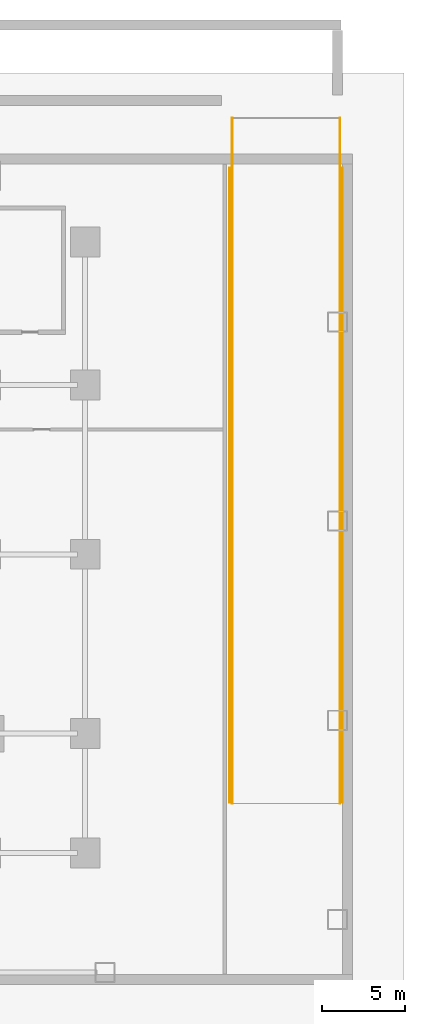
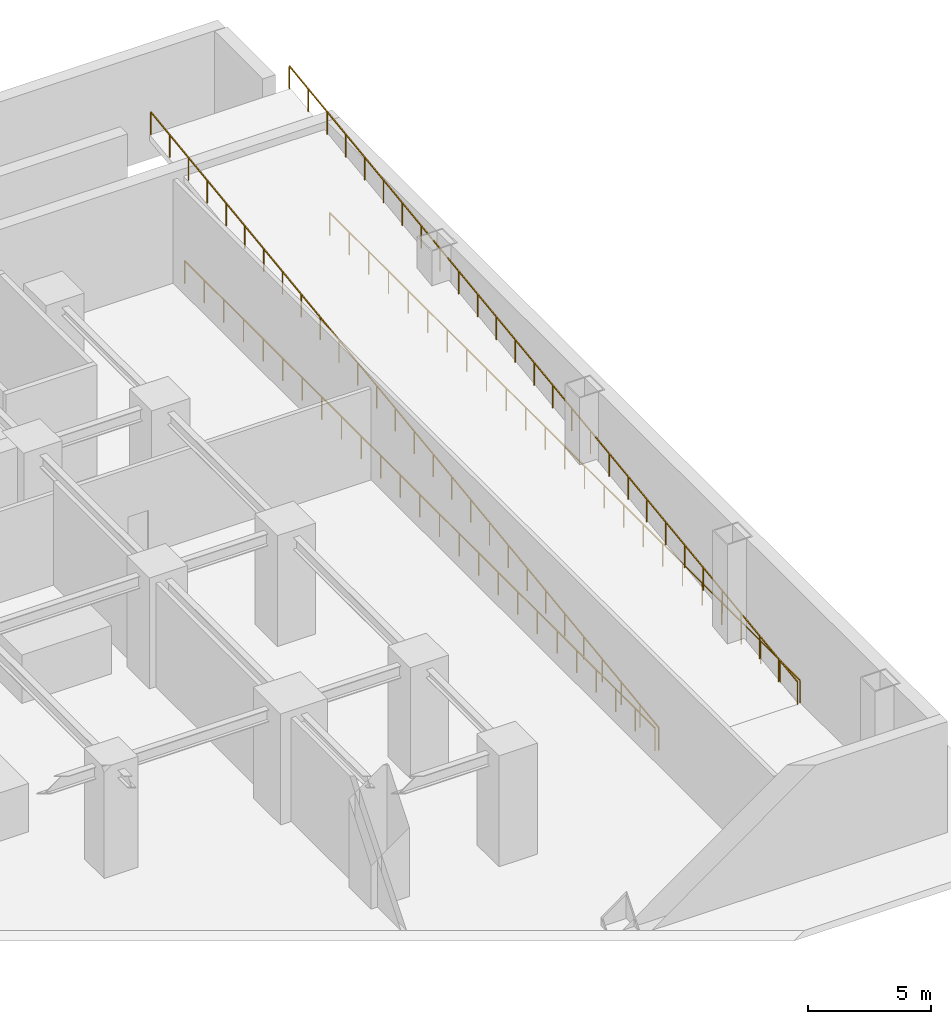
# One storey, part 7 of 8: 4 railings.
"""IFC4 building model written with IfcOpenShell, lengths in metres."""

from ifc_helpers import new_model, si_unit, direction, frame, origin, origin_2d, place, context, subcontext, project, spatial, rectangle, extrude, material, type_object, element, save


model = new_model("IFC4")

# Units and contexts
model_context = context("Model", 3, precision=1e-05, world=origin(), true_north=direction((0.0, 1.0)))
body_context = subcontext(model_context, "Body", "Model", "MODEL_VIEW")
ifc_project = project(units=[si_unit("LENGTHUNIT", "METRE"), si_unit("AREAUNIT", "SQUARE_METRE"), si_unit("VOLUMEUNIT", "CUBIC_METRE"), si_unit("PLANEANGLEUNIT", "RADIAN"), si_unit("MASSUNIT", "GRAM", prefix="KILO")], contexts=[model_context])

# Site, building, storey
site_placement = place(None, origin())
site = spatial("IfcSite", under=ifc_project, at=site_placement, CompositionType="ELEMENT")
building_placement = place(site_placement, origin())
building = spatial("IfcBuilding", under=site, at=building_placement, Name="Sumidabori Civic Tower", CompositionType="ELEMENT")
storey_placement = place(building_placement, frame((0.0, 0.0, -5.5)))
storey = spatial("IfcBuildingStorey", under=building, at=storey_placement, Name="B1", CompositionType="ELEMENT", Elevation=-5.5)

# Railings
ifc_material = material(Name="Steel SN490", Category="steel")
railing_type = type_object("IfcRailingType", Name="RL-STAIR-GUARD", PredefinedType="GUARDRAIL", material=ifc_material)
railing_1_placement = place(storey_placement, frame((31.64990234375, -15.0, 0.0)))
element("IfcRailing", 1, at=railing_1_placement, inside=storey, type_object=railing_type, Name="Ramp R1 Flight 2 West Guard", PredefinedType="GUARDRAIL", context=body_context, shape_type="SweptSolid", body=[
    extrude(rectangle(XDim=0.048095703125, YDim=0.048095703125, at=origin_2d()), frame((0.0, 0.0, 1.1259765625), z_axis=(0.0, 0.991232100619, 0.132132216749), x_axis=(-1.0, 0.0, 0.0)), (0.0, 0.0, 1.0), 41.625),
    extrude(rectangle(XDim=0.0419921875, YDim=0.0419921875, at=origin_2d()), origin(), (0.0, 0.0, 1.0), 1.101806640625),
    extrude(rectangle(XDim=0.0419921875, YDim=0.0419921875, at=origin_2d()), frame((0.0, 1.528076171875, 0.20361328125)), (0.0, 0.0, 1.0), 1.101806640625),
    extrude(rectangle(XDim=0.0419921875, YDim=0.0419921875, at=origin_2d()), frame((0.0, 3.056396484375, 0.407470703125)), (0.0, 0.0, 1.0), 1.101806640625),
    extrude(rectangle(XDim=0.0419921875, YDim=0.0419921875, at=origin_2d()), frame((0.0, 4.58447265625, 0.611083984375)), (0.0, 0.0, 1.0), 1.101806640625),
    extrude(rectangle(XDim=0.0419921875, YDim=0.0419921875, at=origin_2d()), frame((0.0, 6.112548828125, 0.814697265625)), (0.0, 0.0, 1.0), 1.101806640625),
    extrude(rectangle(XDim=0.0419921875, YDim=0.0419921875, at=origin_2d()), frame((0.0, 7.640625, 1.0185546875)), (0.0, 0.0, 1.0), 1.101806640625),
    extrude(rectangle(XDim=0.0419921875, YDim=0.0419921875, at=origin_2d()), frame((0.0, 9.1689453125, 1.22216796875)), (0.0, 0.0, 1.0), 1.101806640625),
    extrude(rectangle(XDim=0.0419921875, YDim=0.0419921875, at=origin_2d()), frame((0.0, 10.697021484375, 1.426025390625)), (0.0, 0.0, 1.0), 1.101806640625),
    extrude(rectangle(XDim=0.0419921875, YDim=0.0419921875, at=origin_2d()), frame((0.0, 12.22509765625, 1.629638671875)), (0.0, 0.0, 1.0), 1.101806640625),
    extrude(rectangle(XDim=0.0419921875, YDim=0.0419921875, at=origin_2d()), frame((0.0, 13.75341796875, 1.833251953125)), (0.0, 0.0, 1.0), 1.101806640625),
    extrude(rectangle(XDim=0.0419921875, YDim=0.0419921875, at=origin_2d()), frame((0.0, 15.281494140625, 2.037109375)), (0.0, 0.0, 1.0), 1.101806640625),
    extrude(rectangle(XDim=0.0419921875, YDim=0.0419921875, at=origin_2d()), frame((0.0, 16.8095703125, 2.24072265625)), (0.0, 0.0, 1.0), 1.101806640625),
    extrude(rectangle(XDim=0.0419921875, YDim=0.0419921875, at=origin_2d()), frame((0.0, 18.337890625, 2.4443359375)), (0.0, 0.0, 1.0), 1.101806640625),
    extrude(rectangle(XDim=0.0419921875, YDim=0.0419921875, at=origin_2d()), frame((0.0, 19.865966796875, 2.648193359375)), (0.0, 0.0, 1.0), 1.101806640625),
    extrude(rectangle(XDim=0.0419921875, YDim=0.0419921875, at=origin_2d()), frame((0.0, 21.39404296875, 2.851806640625)), (0.0, 0.0, 1.0), 1.101806640625),
    extrude(rectangle(XDim=0.0419921875, YDim=0.0419921875, at=origin_2d()), frame((0.0, 22.922119140625, 3.0556640625)), (0.0, 0.0, 1.0), 1.101806640625),
    extrude(rectangle(XDim=0.0419921875, YDim=0.0419921875, at=origin_2d()), frame((0.0, 24.450439453125, 3.25927734375)), (0.0, 0.0, 1.0), 1.101806640625),
    extrude(rectangle(XDim=0.0419921875, YDim=0.0419921875, at=origin_2d()), frame((0.0, 25.978515625, 3.462890625)), (0.0, 0.0, 1.0), 1.101806640625),
    extrude(rectangle(XDim=0.0419921875, YDim=0.0419921875, at=origin_2d()), frame((0.0, 27.506591796875, 3.666748046875)), (0.0, 0.0, 1.0), 1.101806640625),
    extrude(rectangle(XDim=0.0419921875, YDim=0.0419921875, at=origin_2d()), frame((0.0, 29.034912109375, 3.870361328125)), (0.0, 0.0, 1.0), 1.101806640625),
    extrude(rectangle(XDim=0.0419921875, YDim=0.0419921875, at=origin_2d()), frame((0.0, 30.56298828125, 4.073974609375)), (0.0, 0.0, 1.0), 1.101806640625),
    extrude(rectangle(XDim=0.0419921875, YDim=0.0419921875, at=origin_2d()), frame((0.0, 32.091064453125, 4.27783203125)), (0.0, 0.0, 1.0), 1.101806640625),
    extrude(rectangle(XDim=0.0419921875, YDim=0.0419921875, at=origin_2d()), frame((0.0, 33.619384765625, 4.4814453125)), (0.0, 0.0, 1.0), 1.101806640625),
    extrude(rectangle(XDim=0.0419921875, YDim=0.0419921875, at=origin_2d()), frame((0.0, 35.1474609375, 4.685302734375)), (0.0, 0.0, 1.0), 1.101806640625),
    extrude(rectangle(XDim=0.0419921875, YDim=0.0419921875, at=origin_2d()), frame((0.0, 36.675537109375, 4.888916015625)), (0.0, 0.0, 1.0), 1.101806640625),
    extrude(rectangle(XDim=0.0419921875, YDim=0.0419921875, at=origin_2d()), frame((0.0, 38.20361328125, 5.092529296875)), (0.0, 0.0, 1.0), 1.101806640625),
    extrude(rectangle(XDim=0.0419921875, YDim=0.0419921875, at=origin_2d()), frame((0.0, 39.73193359375, 5.29638671875)), (0.0, 0.0, 1.0), 1.101806640625),
    extrude(rectangle(XDim=0.0419921875, YDim=0.0419921875, at=origin_2d()), frame((0.0, 41.260009765625, 5.5)), (0.0, 0.0, 1.0), 1.101806640625),
])
railing_2_placement = place(storey_placement, frame((38.14990234375, -15.0, 0.0)))
element("IfcRailing", 2, at=railing_2_placement, inside=storey, type_object=railing_type, Name="Ramp R1 Flight 2 East Guard", PredefinedType="GUARDRAIL", context=body_context, shape_type="SweptSolid", body=[
    extrude(rectangle(XDim=0.048095703125, YDim=0.048095703125, at=origin_2d()), frame((0.0, 0.0, 1.1259765625), z_axis=(0.0, 0.991232100619, 0.132132216749), x_axis=(-1.0, 0.0, 0.0)), (0.0, 0.0, 1.0), 41.625),
    extrude(rectangle(XDim=0.0419921875, YDim=0.0419921875, at=origin_2d()), origin(), (0.0, 0.0, 1.0), 1.101806640625),
    extrude(rectangle(XDim=0.0419921875, YDim=0.0419921875, at=origin_2d()), frame((0.0, 1.528076171875, 0.20361328125)), (0.0, 0.0, 1.0), 1.101806640625),
    extrude(rectangle(XDim=0.0419921875, YDim=0.0419921875, at=origin_2d()), frame((0.0, 3.056396484375, 0.407470703125)), (0.0, 0.0, 1.0), 1.101806640625),
    extrude(rectangle(XDim=0.0419921875, YDim=0.0419921875, at=origin_2d()), frame((0.0, 4.58447265625, 0.611083984375)), (0.0, 0.0, 1.0), 1.101806640625),
    extrude(rectangle(XDim=0.0419921875, YDim=0.0419921875, at=origin_2d()), frame((0.0, 6.112548828125, 0.814697265625)), (0.0, 0.0, 1.0), 1.101806640625),
    extrude(rectangle(XDim=0.0419921875, YDim=0.0419921875, at=origin_2d()), frame((0.0, 7.640625, 1.0185546875)), (0.0, 0.0, 1.0), 1.101806640625),
    extrude(rectangle(XDim=0.0419921875, YDim=0.0419921875, at=origin_2d()), frame((0.0, 9.1689453125, 1.22216796875)), (0.0, 0.0, 1.0), 1.101806640625),
    extrude(rectangle(XDim=0.0419921875, YDim=0.0419921875, at=origin_2d()), frame((0.0, 10.697021484375, 1.426025390625)), (0.0, 0.0, 1.0), 1.101806640625),
    extrude(rectangle(XDim=0.0419921875, YDim=0.0419921875, at=origin_2d()), frame((0.0, 12.22509765625, 1.629638671875)), (0.0, 0.0, 1.0), 1.101806640625),
    extrude(rectangle(XDim=0.0419921875, YDim=0.0419921875, at=origin_2d()), frame((0.0, 13.75341796875, 1.833251953125)), (0.0, 0.0, 1.0), 1.101806640625),
    extrude(rectangle(XDim=0.0419921875, YDim=0.0419921875, at=origin_2d()), frame((0.0, 15.281494140625, 2.037109375)), (0.0, 0.0, 1.0), 1.101806640625),
    extrude(rectangle(XDim=0.0419921875, YDim=0.0419921875, at=origin_2d()), frame((0.0, 16.8095703125, 2.24072265625)), (0.0, 0.0, 1.0), 1.101806640625),
    extrude(rectangle(XDim=0.0419921875, YDim=0.0419921875, at=origin_2d()), frame((0.0, 18.337890625, 2.4443359375)), (0.0, 0.0, 1.0), 1.101806640625),
    extrude(rectangle(XDim=0.0419921875, YDim=0.0419921875, at=origin_2d()), frame((0.0, 19.865966796875, 2.648193359375)), (0.0, 0.0, 1.0), 1.101806640625),
    extrude(rectangle(XDim=0.0419921875, YDim=0.0419921875, at=origin_2d()), frame((0.0, 21.39404296875, 2.851806640625)), (0.0, 0.0, 1.0), 1.101806640625),
    extrude(rectangle(XDim=0.0419921875, YDim=0.0419921875, at=origin_2d()), frame((0.0, 22.922119140625, 3.0556640625)), (0.0, 0.0, 1.0), 1.101806640625),
    extrude(rectangle(XDim=0.0419921875, YDim=0.0419921875, at=origin_2d()), frame((0.0, 24.450439453125, 3.25927734375)), (0.0, 0.0, 1.0), 1.101806640625),
    extrude(rectangle(XDim=0.0419921875, YDim=0.0419921875, at=origin_2d()), frame((0.0, 25.978515625, 3.462890625)), (0.0, 0.0, 1.0), 1.101806640625),
    extrude(rectangle(XDim=0.0419921875, YDim=0.0419921875, at=origin_2d()), frame((0.0, 27.506591796875, 3.666748046875)), (0.0, 0.0, 1.0), 1.101806640625),
    extrude(rectangle(XDim=0.0419921875, YDim=0.0419921875, at=origin_2d()), frame((0.0, 29.034912109375, 3.870361328125)), (0.0, 0.0, 1.0), 1.101806640625),
    extrude(rectangle(XDim=0.0419921875, YDim=0.0419921875, at=origin_2d()), frame((0.0, 30.56298828125, 4.073974609375)), (0.0, 0.0, 1.0), 1.101806640625),
    extrude(rectangle(XDim=0.0419921875, YDim=0.0419921875, at=origin_2d()), frame((0.0, 32.091064453125, 4.27783203125)), (0.0, 0.0, 1.0), 1.101806640625),
    extrude(rectangle(XDim=0.0419921875, YDim=0.0419921875, at=origin_2d()), frame((0.0, 33.619384765625, 4.4814453125)), (0.0, 0.0, 1.0), 1.101806640625),
    extrude(rectangle(XDim=0.0419921875, YDim=0.0419921875, at=origin_2d()), frame((0.0, 35.1474609375, 4.685302734375)), (0.0, 0.0, 1.0), 1.101806640625),
    extrude(rectangle(XDim=0.0419921875, YDim=0.0419921875, at=origin_2d()), frame((0.0, 36.675537109375, 4.888916015625)), (0.0, 0.0, 1.0), 1.101806640625),
    extrude(rectangle(XDim=0.0419921875, YDim=0.0419921875, at=origin_2d()), frame((0.0, 38.20361328125, 5.092529296875)), (0.0, 0.0, 1.0), 1.101806640625),
    extrude(rectangle(XDim=0.0419921875, YDim=0.0419921875, at=origin_2d()), frame((0.0, 39.73193359375, 5.29638671875)), (0.0, 0.0, 1.0), 1.101806640625),
    extrude(rectangle(XDim=0.0419921875, YDim=0.0419921875, at=origin_2d()), frame((0.0, 41.260009765625, 5.5)), (0.0, 0.0, 1.0), 1.101806640625),
])
railing_3_placement = place(storey_placement, frame((31.5, 23.25, 0.0)))
element("IfcRailing", 3, at=railing_3_placement, inside=storey, type_object=railing_type, Name="Ramp R1 Opening West Guard B1", PredefinedType="GUARDRAIL", context=body_context, shape_type="SweptSolid", body=[
    extrude(rectangle(XDim=0.048095703125, YDim=0.048095703125, at=origin_2d()), frame((0.0, 0.0, 1.1259765625), z_axis=(0.0, -1.0, 0.0), x_axis=(1.0, 0.0, 0.0)), (0.0, 0.0, 1.0), 38.199951171875),
    extrude(rectangle(XDim=0.0419921875, YDim=0.0419921875, at=origin_2d()), origin(), (0.0, 0.0, 1.0), 1.101806640625),
    extrude(rectangle(XDim=0.0419921875, YDim=0.0419921875, at=origin_2d()), frame((0.0, -1.591552734375, 0.0)), (0.0, 0.0, 1.0), 1.101806640625),
    extrude(rectangle(XDim=0.0419921875, YDim=0.0419921875, at=origin_2d()), frame((0.0, -3.183349609375, 0.0)), (0.0, 0.0, 1.0), 1.101806640625),
    extrude(rectangle(XDim=0.0419921875, YDim=0.0419921875, at=origin_2d()), frame((0.0, -4.77490234375, 0.0)), (0.0, 0.0, 1.0), 1.101806640625),
    extrude(rectangle(XDim=0.0419921875, YDim=0.0419921875, at=origin_2d()), frame((0.0, -6.36669921875, 0.0)), (0.0, 0.0, 1.0), 1.101806640625),
    extrude(rectangle(XDim=0.0419921875, YDim=0.0419921875, at=origin_2d()), frame((0.0, -7.958251953125, 0.0)), (0.0, 0.0, 1.0), 1.101806640625),
    extrude(rectangle(XDim=0.0419921875, YDim=0.0419921875, at=origin_2d()), frame((0.0, -9.550048828125, 0.0)), (0.0, 0.0, 1.0), 1.101806640625),
    extrude(rectangle(XDim=0.0419921875, YDim=0.0419921875, at=origin_2d()), frame((0.0, -11.1416015625, 0.0)), (0.0, 0.0, 1.0), 1.101806640625),
    extrude(rectangle(XDim=0.0419921875, YDim=0.0419921875, at=origin_2d()), frame((0.0, -12.7333984375, 0.0)), (0.0, 0.0, 1.0), 1.101806640625),
    extrude(rectangle(XDim=0.0419921875, YDim=0.0419921875, at=origin_2d()), frame((0.0, -14.324951171875, 0.0)), (0.0, 0.0, 1.0), 1.101806640625),
    extrude(rectangle(XDim=0.0419921875, YDim=0.0419921875, at=origin_2d()), frame((0.0, -15.916748046875, 0.0)), (0.0, 0.0, 1.0), 1.101806640625),
    extrude(rectangle(XDim=0.0419921875, YDim=0.0419921875, at=origin_2d()), frame((0.0, -17.50830078125, 0.0)), (0.0, 0.0, 1.0), 1.101806640625),
    extrude(rectangle(XDim=0.0419921875, YDim=0.0419921875, at=origin_2d()), frame((0.0, -19.10009765625, 0.0)), (0.0, 0.0, 1.0), 1.101806640625),
    extrude(rectangle(XDim=0.0419921875, YDim=0.0419921875, at=origin_2d()), frame((0.0, -20.691650390625, 0.0)), (0.0, 0.0, 1.0), 1.101806640625),
    extrude(rectangle(XDim=0.0419921875, YDim=0.0419921875, at=origin_2d()), frame((0.0, -22.283203125, 0.0)), (0.0, 0.0, 1.0), 1.101806640625),
    extrude(rectangle(XDim=0.0419921875, YDim=0.0419921875, at=origin_2d()), frame((0.0, -23.875, 0.0)), (0.0, 0.0, 1.0), 1.101806640625),
    extrude(rectangle(XDim=0.0419921875, YDim=0.0419921875, at=origin_2d()), frame((0.0, -25.466552734375, 0.0)), (0.0, 0.0, 1.0), 1.101806640625),
    extrude(rectangle(XDim=0.0419921875, YDim=0.0419921875, at=origin_2d()), frame((0.0, -27.058349609375, 0.0)), (0.0, 0.0, 1.0), 1.101806640625),
    extrude(rectangle(XDim=0.0419921875, YDim=0.0419921875, at=origin_2d()), frame((0.0, -28.64990234375, 0.0)), (0.0, 0.0, 1.0), 1.101806640625),
    extrude(rectangle(XDim=0.0419921875, YDim=0.0419921875, at=origin_2d()), frame((0.0, -30.24169921875, 0.0)), (0.0, 0.0, 1.0), 1.101806640625),
    extrude(rectangle(XDim=0.0419921875, YDim=0.0419921875, at=origin_2d()), frame((0.0, -31.833251953125, 0.0)), (0.0, 0.0, 1.0), 1.101806640625),
    extrude(rectangle(XDim=0.0419921875, YDim=0.0419921875, at=origin_2d()), frame((0.0, -33.425048828125, 0.0)), (0.0, 0.0, 1.0), 1.101806640625),
    extrude(rectangle(XDim=0.0419921875, YDim=0.0419921875, at=origin_2d()), frame((0.0, -35.0166015625, 0.0)), (0.0, 0.0, 1.0), 1.101806640625),
    extrude(rectangle(XDim=0.0419921875, YDim=0.0419921875, at=origin_2d()), frame((0.0, -36.6083984375, 0.0)), (0.0, 0.0, 1.0), 1.101806640625),
    extrude(rectangle(XDim=0.0419921875, YDim=0.0419921875, at=origin_2d()), frame((0.0, -38.199951171875, 0.0)), (0.0, 0.0, 1.0), 1.101806640625),
])
railing_4_placement = place(storey_placement, frame((38.300048828125, -14.949951171875, 0.0)))
element("IfcRailing", 4, at=railing_4_placement, inside=storey, type_object=railing_type, Name="Ramp R1 Opening East Guard B1", PredefinedType="GUARDRAIL", context=body_context, shape_type="SweptSolid", body=[
    extrude(rectangle(XDim=0.048095703125, YDim=0.048095703125, at=origin_2d()), frame((0.0, 0.0, 1.1259765625), z_axis=(0.0, 1.0, 0.0), x_axis=(-1.0, 0.0, 0.0)), (0.0, 0.0, 1.0), 38.199951171875),
    extrude(rectangle(XDim=0.0419921875, YDim=0.0419921875, at=origin_2d()), origin(), (0.0, 0.0, 1.0), 1.101806640625),
    extrude(rectangle(XDim=0.0419921875, YDim=0.0419921875, at=origin_2d()), frame((0.0, 1.591552734375, 0.0)), (0.0, 0.0, 1.0), 1.101806640625),
    extrude(rectangle(XDim=0.0419921875, YDim=0.0419921875, at=origin_2d()), frame((0.0, 3.183349609375, 0.0)), (0.0, 0.0, 1.0), 1.101806640625),
    extrude(rectangle(XDim=0.0419921875, YDim=0.0419921875, at=origin_2d()), frame((0.0, 4.77490234375, 0.0)), (0.0, 0.0, 1.0), 1.101806640625),
    extrude(rectangle(XDim=0.0419921875, YDim=0.0419921875, at=origin_2d()), frame((0.0, 6.36669921875, 0.0)), (0.0, 0.0, 1.0), 1.101806640625),
    extrude(rectangle(XDim=0.0419921875, YDim=0.0419921875, at=origin_2d()), frame((0.0, 7.958251953125, 0.0)), (0.0, 0.0, 1.0), 1.101806640625),
    extrude(rectangle(XDim=0.0419921875, YDim=0.0419921875, at=origin_2d()), frame((0.0, 9.550048828125, 0.0)), (0.0, 0.0, 1.0), 1.101806640625),
    extrude(rectangle(XDim=0.0419921875, YDim=0.0419921875, at=origin_2d()), frame((0.0, 11.1416015625, 0.0)), (0.0, 0.0, 1.0), 1.101806640625),
    extrude(rectangle(XDim=0.0419921875, YDim=0.0419921875, at=origin_2d()), frame((0.0, 12.7333984375, 0.0)), (0.0, 0.0, 1.0), 1.101806640625),
    extrude(rectangle(XDim=0.0419921875, YDim=0.0419921875, at=origin_2d()), frame((0.0, 14.324951171875, 0.0)), (0.0, 0.0, 1.0), 1.101806640625),
    extrude(rectangle(XDim=0.0419921875, YDim=0.0419921875, at=origin_2d()), frame((0.0, 15.916748046875, 0.0)), (0.0, 0.0, 1.0), 1.101806640625),
    extrude(rectangle(XDim=0.0419921875, YDim=0.0419921875, at=origin_2d()), frame((0.0, 17.50830078125, 0.0)), (0.0, 0.0, 1.0), 1.101806640625),
    extrude(rectangle(XDim=0.0419921875, YDim=0.0419921875, at=origin_2d()), frame((0.0, 19.10009765625, 0.0)), (0.0, 0.0, 1.0), 1.101806640625),
    extrude(rectangle(XDim=0.0419921875, YDim=0.0419921875, at=origin_2d()), frame((0.0, 20.691650390625, 0.0)), (0.0, 0.0, 1.0), 1.101806640625),
    extrude(rectangle(XDim=0.0419921875, YDim=0.0419921875, at=origin_2d()), frame((0.0, 22.283203125, 0.0)), (0.0, 0.0, 1.0), 1.101806640625),
    extrude(rectangle(XDim=0.0419921875, YDim=0.0419921875, at=origin_2d()), frame((0.0, 23.875, 0.0)), (0.0, 0.0, 1.0), 1.101806640625),
    extrude(rectangle(XDim=0.0419921875, YDim=0.0419921875, at=origin_2d()), frame((0.0, 25.466552734375, 0.0)), (0.0, 0.0, 1.0), 1.101806640625),
    extrude(rectangle(XDim=0.0419921875, YDim=0.0419921875, at=origin_2d()), frame((0.0, 27.058349609375, 0.0)), (0.0, 0.0, 1.0), 1.101806640625),
    extrude(rectangle(XDim=0.0419921875, YDim=0.0419921875, at=origin_2d()), frame((0.0, 28.64990234375, 0.0)), (0.0, 0.0, 1.0), 1.101806640625),
    extrude(rectangle(XDim=0.0419921875, YDim=0.0419921875, at=origin_2d()), frame((0.0, 30.24169921875, 0.0)), (0.0, 0.0, 1.0), 1.101806640625),
    extrude(rectangle(XDim=0.0419921875, YDim=0.0419921875, at=origin_2d()), frame((0.0, 31.833251953125, 0.0)), (0.0, 0.0, 1.0), 1.101806640625),
    extrude(rectangle(XDim=0.0419921875, YDim=0.0419921875, at=origin_2d()), frame((0.0, 33.425048828125, 0.0)), (0.0, 0.0, 1.0), 1.101806640625),
    extrude(rectangle(XDim=0.0419921875, YDim=0.0419921875, at=origin_2d()), frame((0.0, 35.0166015625, 0.0)), (0.0, 0.0, 1.0), 1.101806640625),
    extrude(rectangle(XDim=0.0419921875, YDim=0.0419921875, at=origin_2d()), frame((0.0, 36.6083984375, 0.0)), (0.0, 0.0, 1.0), 1.101806640625),
    extrude(rectangle(XDim=0.0419921875, YDim=0.0419921875, at=origin_2d()), frame((0.0, 38.199951171875, 0.0)), (0.0, 0.0, 1.0), 1.101806640625),
])

save(model, "model.ifc")
